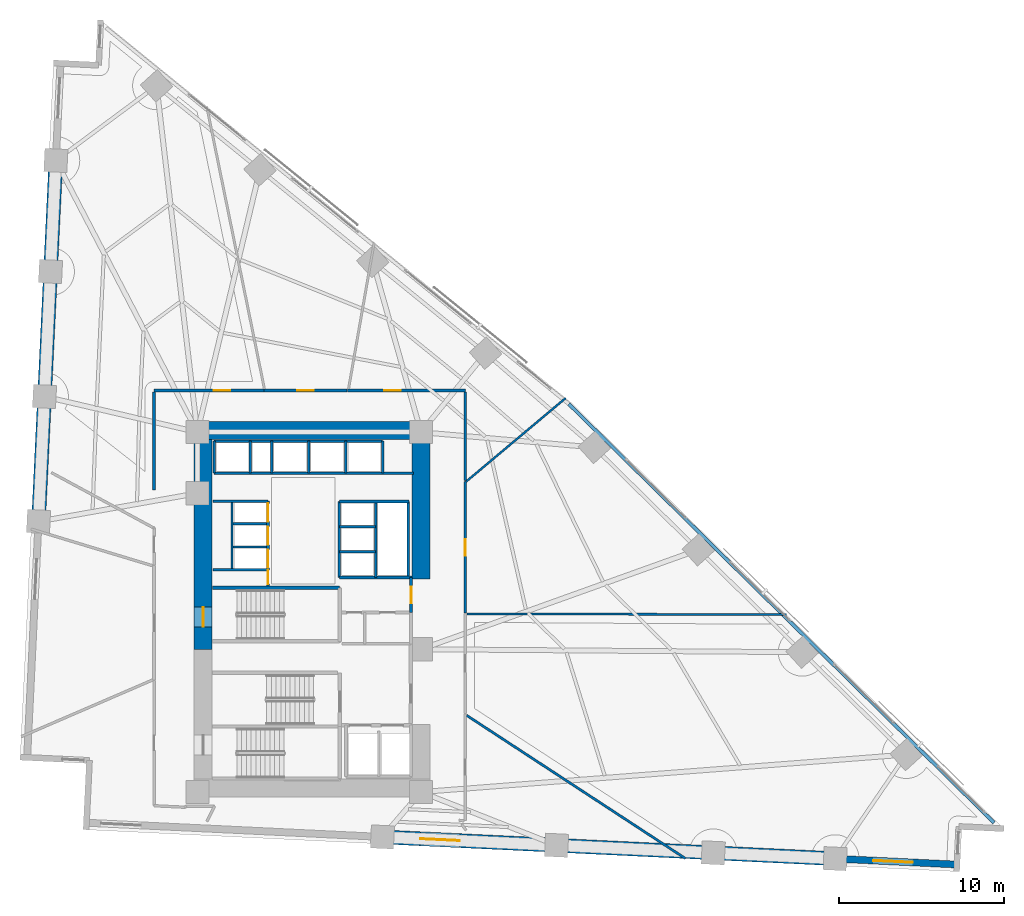
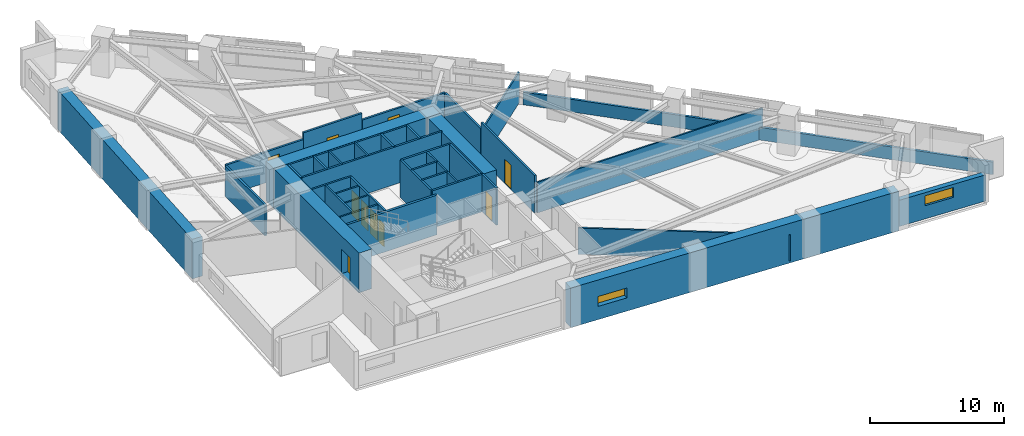
# One storey, part 14 of 17: 40 walls, 10 doors, 2 windows, 12 openings.
"""IFC4 building model written with IfcOpenShell, lengths in metres."""

import ifcopenshell
import ifcopenshell.guid

model = None  # the IFC model being written
_history = None  # IfcOwnerHistory: only IFC2X3 demands one
_inside = {}  # id of a spatial element -> (the spatial element, [elements in it])
_under = {}  # id of a project, library or spatial element -> (it, [spatial elements below it])
_declared = {}  # id of a project -> (the project, [libraries it declares])
_typed = {}  # id of a type object -> (the type object, [elements of that type])
_made_of = {}  # id of a material, layer set ... -> (it, [elements and type objects made of it])


def new_model(schema):
    """Start an empty IFC model of exactly this schema.

    Asked for "IFC4X3", IfcOpenShell would pick the latest addendum, in which some entities
    have other attributes; the version numbers below select the first issue.
    IFC2X3 requires an IfcOwnerHistory on every rooted entity: one is made here for all.
    """
    global model, _history
    if schema == "IFC4X3":
        model = ifcopenshell.file(schema_version=(4, 3, 0, 0))
    else:
        model = ifcopenshell.file(schema=schema)
    _inside.clear()
    _under.clear()
    _declared.clear()
    _typed.clear()
    _made_of.clear()
    _history = None
    if model.schema == "IFC2X3":
        org = make("IfcOrganization", Name="unknown")
        user = make(
            "IfcPersonAndOrganization",
            ThePerson=make("IfcPerson", FamilyName="unknown"),
            TheOrganization=org,
        )
        app = make(
            "IfcApplication",
            ApplicationDeveloper=org,
            Version="unknown",
            ApplicationFullName="unknown",
            ApplicationIdentifier="unknown",
        )
        _history = make(
            "IfcOwnerHistory",
            OwningUser=user,
            OwningApplication=app,
            ChangeAction="ADDED",
            CreationDate=0,
        )
    return model


def make(cls, **values):
    """One entity of the class cls with the attributes given. An attribute that is None is left unset."""
    return model.create_entity(
        cls, **{name: value for name, value in values.items() if value is not None}
    )


def rooted(cls, **values):
    """An entity with a GlobalId (a new one), such as an element, a storey or a relation."""
    return make(cls, GlobalId=ifcopenshell.guid.new(), OwnerHistory=_history, **values)


def si_unit(unit_type, name, prefix=None):
    """IfcSIUnit, for example si_unit("LENGTHUNIT", "METRE", prefix="MILLI")."""
    return make("IfcSIUnit", UnitType=unit_type, Prefix=prefix, Name=name)


def assignment(units):
    """IfcUnitAssignment: the units of a project."""
    return None if units is None else make("IfcUnitAssignment", Units=units)


def point(xyz):
    """IfcCartesianPoint."""
    return None if xyz is None else make("IfcCartesianPoint", Coordinates=xyz)


def direction(xyz):
    """IfcDirection."""
    return None if xyz is None else make("IfcDirection", DirectionRatios=xyz)


def frame(location, z_axis=None, x_axis=None):
    """IfcAxis2Placement3D, a coordinate frame: its origin and axes. An axis left out is left unset."""
    return make(
        "IfcAxis2Placement3D",
        Location=point(location),
        Axis=direction(z_axis),
        RefDirection=direction(x_axis),
    )


def frame_2d(location, x_axis=None):
    """IfcAxis2Placement2D, a coordinate frame in the plane: its origin and x axis."""
    return make(
        "IfcAxis2Placement2D", Location=point(location), RefDirection=direction(x_axis)
    )


def origin():
    """The frame at (0, 0, 0) with its axes left unset."""
    return frame((0.0, 0.0, 0.0))


def place(relative_to, where):
    """IfcLocalPlacement: puts the frame where relative to a parent placement (None: the world)."""
    return make(
        "IfcLocalPlacement", PlacementRelTo=relative_to, RelativePlacement=where
    )


def context(
    kind, dimensions, precision=None, world=None, true_north=None, identifier=None
):
    """IfcGeometricRepresentationContext, for example the 3D "Model" context."""
    return make(
        "IfcGeometricRepresentationContext",
        ContextIdentifier=identifier,
        ContextType=kind,
        CoordinateSpaceDimension=dimensions,
        Precision=precision,
        WorldCoordinateSystem=world,
        TrueNorth=true_north,
    )


def subcontext(parent, identifier, kind, view, scale=None):
    """IfcGeometricRepresentationSubContext, for example "Body" below "Model"."""
    return make(
        "IfcGeometricRepresentationSubContext",
        ContextIdentifier=identifier,
        ContextType=kind,
        ParentContext=parent,
        TargetScale=scale,
        TargetView=view,
    )


def project(units=None, contexts=None):
    """IfcProject with its units and contexts."""
    return rooted(
        "IfcProject",
        Name="project",
        RepresentationContexts=contexts,
        UnitsInContext=assignment(units),
    )


def spatial(cls, under=None, at=None, **own):
    """A site, building, storey or space (cls), placed at a placement, below another one or the project."""
    s = rooted(cls, ObjectPlacement=at, **own)
    if under is not None:
        _under.setdefault(under.id(), (under, []))[1].append(s)
    return s


def profile(cls, at=None, kind="AREA", **sizes):
    """A parametric profile (cls). Its sizes go by their IFC names, for example OverallWidth=200.0."""
    return make(cls, ProfileType=kind, Position=at, **sizes)


def rectangle(**sizes):
    """IfcRectangleProfileDef."""
    return profile("IfcRectangleProfileDef", **sizes)


def extrude(swept, where, along, depth):
    """IfcExtrudedAreaSolid: the profile swept, set in the frame where, extruded along a direction by depth."""
    return make(
        "IfcExtrudedAreaSolid",
        SweptArea=swept,
        Position=where,
        ExtrudedDirection=direction(along),
        Depth=depth,
    )


def shape(context_of_items, identifier, shape_type, items):
    """IfcShapeRepresentation: the items that make up one representation, for example the "Body"."""
    return make(
        "IfcShapeRepresentation",
        ContextOfItems=context_of_items,
        RepresentationIdentifier=identifier,
        RepresentationType=shape_type,
        Items=items,
    )


def material(Name=None, Category=None):
    """IfcMaterial."""
    return make("IfcMaterial", Name=Name, Category=Category)


def layer(
    of_material, thickness, ventilated=None, Name=None, Category=None, Priority=None
):
    """IfcMaterialLayer: one layer of a wall or slab, of a material (None: an air gap)."""
    return make(
        "IfcMaterialLayer",
        Material=of_material,
        LayerThickness=thickness,
        IsVentilated=ventilated,
        Name=Name,
        Category=Category,
        Priority=Priority,
    )


def layer_set(layers, Name=None):
    """IfcMaterialLayerSet."""
    return make("IfcMaterialLayerSet", MaterialLayers=layers, LayerSetName=Name)


def made_of(thing, what):
    """Note that an element or type object is made of a material, layer set ...; save() writes the relation."""
    if what is not None:
        _made_of.setdefault(what.id(), (what, []))[1].append(thing)
    return thing


def type_object(cls, material=None, **own):
    """A type object (cls), such as IfcWallType, which elements share."""
    return made_of(rooted(cls, **own), material)


def element(
    cls,
    number,
    at=None,
    inside=None,
    cuts=None,
    type_object=None,
    material=None,
    context=None,
    identifier="Body",
    shape_type=None,
    held_by="IfcProductDefinitionShape",
    body=None,
    shapes=None,
    **own,
):
    """One element of the class cls, such as IfcWall. Its Tag is "e" and its number.

    at: its placement. inside: the storey or other place that contains it. cuts: it is an
    opening in that element (IfcRelVoidsElement). A single representation is given by context,
    identifier, shape_type and body (its items); several are given by shapes. held_by: the class
    of the entity that holds the representations. save() writes the other relations.
    """
    e = rooted(cls, Tag="e%d" % number, ObjectPlacement=at, **own)
    if body is not None:
        shapes = [shape(context, identifier, shape_type, body)]
    if shapes is not None:
        e.Representation = make(held_by, Representations=shapes)
    if inside is not None:
        _inside.setdefault(inside.id(), (inside, []))[1].append(e)
    if cuts is not None:
        rooted(
            "IfcRelVoidsElement", RelatingBuildingElement=cuts, RelatedOpeningElement=e
        )
    if type_object is not None:
        _typed.setdefault(type_object.id(), (type_object, []))[1].append(e)
    return made_of(e, material)


def fill(opening, filler):
    """IfcRelFillsElement: the door or window that sits in an opening."""
    return rooted(
        "IfcRelFillsElement",
        RelatingOpeningElement=opening,
        RelatedBuildingElement=filler,
    )


def aggregate(whole, parts):
    """IfcRelAggregates: a whole, such as a stair, and the parts it consists of."""
    return rooted("IfcRelAggregates", RelatingObject=whole, RelatedObjects=parts)


def save(model, path):
    """Write the relations noted so far, then the file.

    IfcRelAggregates (storeys below a building ...), IfcRelContainedInSpatialStructure (elements
    in a storey), IfcRelDefinesByType, IfcRelAssociatesMaterial and IfcRelDeclares: one each for
    every whole, place, type object, material and project.
    """
    for whole, parts in _under.values():
        aggregate(whole, parts)
    for where, things in _inside.values():
        rooted(
            "IfcRelContainedInSpatialStructure",
            RelatedElements=things,
            RelatingStructure=where,
        )
    for kind, things in _typed.values():
        rooted("IfcRelDefinesByType", RelatedObjects=things, RelatingType=kind)
    for what, things in _made_of.values():
        rooted("IfcRelAssociatesMaterial", RelatedObjects=things, RelatingMaterial=what)
    for by, libraries in _declared.values():
        rooted("IfcRelDeclares", RelatingContext=by, RelatedDefinitions=libraries)
    model.write(path)


model = new_model("IFC4")

# Units and contexts
model_context = context("Model", 3, precision=1e-05, world=origin(), true_north=direction((0.0, 1.0)))
body_context = subcontext(model_context, "Body", "Model", "MODEL_VIEW")
ifc_project = project(units=[si_unit("LENGTHUNIT", "METRE"), si_unit("AREAUNIT", "SQUARE_METRE"), si_unit("VOLUMEUNIT", "CUBIC_METRE"), si_unit("PLANEANGLEUNIT", "RADIAN"), si_unit("MASSUNIT", "GRAM", prefix="KILO")], contexts=[model_context])

# Site, building, storey
site_placement = place(None, origin())
site = spatial("IfcSite", under=ifc_project, at=site_placement, CompositionType="ELEMENT")
building_placement = place(site_placement, origin())
building = spatial("IfcBuilding", under=site, at=building_placement, Name="Narakoshi Arena Tower", CompositionType="ELEMENT")
storey_placement = place(building_placement, frame((0.0, 0.0, 41.10009765625)))
storey = spatial("IfcBuildingStorey", under=building, at=storey_placement, Name="L10", CompositionType="ELEMENT", Elevation=41.10009765625)

# Wall, opening, door
ifc_material_1 = material(Name="Concrete C60/75", Category="concrete")
ifc_layer_1 = layer(ifc_material_1, 1.10009765625)
ifc_layer_set_1 = layer_set([ifc_layer_1], Name="Concrete C60/75")
wall_type_1 = type_object("IfcWallType", Name="WL-CORE-1100", PredefinedType="SHEAR", material=ifc_layer_set_1)
wall_1_placement = place(storey_placement, frame((72.35009765625, 43.35009765625, -0.2001953125), z_axis=(0.0, 0.0, 1.0), x_axis=(0.0, 1.0, 0.0)))
wall_1 = element("IfcWall", 1, at=wall_1_placement, inside=storey, type_object=wall_type_1, Name="L10 Main Core Shear Wall CW-MN-W", PredefinedType="SHEAR", context=body_context, shape_type="SweptSolid", body=[
    extrude(rectangle(XDim=12.699951171875, YDim=1.10009765625, at=frame_2d((6.35009765625, 0.0))), origin(), (0.0, 0.0, 1.0), 3.60009765625),
])
opening_1_placement = place(wall_1_placement, frame((1.35009765625, 0.0, 0.199951171875)))
opening_1 = element("IfcOpeningElement", 2, at=opening_1_placement, cuts=wall_1, Name="Opening D-03", PredefinedType="OPENING", context=body_context, shape_type="SweptSolid", body=[
    extrude(rectangle(XDim=1.199951171875, YDim=2.199951171875, at=frame_2d((0.60009765625, 1.10009765625))), frame((0.0, 0.56005859375, 0.0), z_axis=(0.0, -1.0, 0.0), x_axis=(1.0, 0.0, 0.0)), (0.0, 0.0, 1.0), 1.1201171875),
])
ifc_material_2 = material(Name="Painted galvanized steel", Category="steel")
door_type_1 = type_object("IfcDoorType", Name="DR-STR-1200", OperationType="NOTDEFINED", PredefinedType="USERDEFINED", material=ifc_material_2)
door_1_placement = place(opening_1_placement, frame((1.199951171875, 0.0, 0.0), z_axis=(0.0, 0.0, 1.0), x_axis=(-1.0, 0.0, 0.0)))
door_1 = element("IfcDoor", 3, at=door_1_placement, inside=storey, type_object=door_type_1, Name="DR-L10-006", ObjectType="EXITDOOR", OperationType="SINGLE_SWING_LEFT", OverallHeight=2.199951171875, OverallWidth=1.199951171875, PredefinedType="USERDEFINED", context=body_context, shape_type="SweptSolid", body=[
    extrude(rectangle(XDim=1.199951171875, YDim=2.199951171875, at=frame_2d((0.60009765625, 1.10009765625))), frame((0.0, 0.02490234375, 0.0), z_axis=(0.0, -1.0, 0.0), x_axis=(1.0, 0.0, 0.0)), (0.0, 0.0, 1.0), 0.050048828125),
])
fill(opening_1, door_1)

# Walls
wall_2_placement = place(storey_placement, frame((71.800048828125, 56.60009765625, -0.2001953125), z_axis=(0.0, 0.0, 1.0), x_axis=(1.0, 0.0, 0.0)))
element("IfcWall", 4, at=wall_2_placement, inside=storey, type_object=wall_type_1, Name="L10 Main Core Shear Wall CW-MN-N", PredefinedType="SHEAR", context=body_context, shape_type="SweptSolid", body=[
    extrude(rectangle(XDim=14.300048828125, YDim=1.10009765625, at=frame_2d((7.14990234375, 0.0))), origin(), (0.0, 0.0, 1.0), 3.60009765625),
])
wall_3_placement = place(storey_placement, frame((85.550048828125, 47.60009765625, -0.2001953125), z_axis=(0.0, 0.0, 1.0), x_axis=(0.0, 1.0, 0.0)))
element("IfcWall", 5, at=wall_3_placement, inside=storey, type_object=wall_type_1, Name="L10 Main Core Shear Wall CW-MN-E", PredefinedType="SHEAR", context=body_context, shape_type="SweptSolid", body=[
    extrude(rectangle(XDim=8.449951171875, YDim=1.10009765625, at=frame_2d((4.22509765625, 0.0))), origin(), (0.0, 0.0, 1.0), 3.60009765625),
])

# Wall, opening, door
ifc_material_3 = material(Name="Gypsum plasterboard fire-rated partition")
ifc_layer_2 = layer(ifc_material_3, 0.1650390625)
ifc_layer_set_2 = layer_set([ifc_layer_2], Name="Gypsum plasterboard fire-rated partition")
wall_type_2 = type_object("IfcWallType", Name="WL-CORR-165", PredefinedType="PARTITIONING", material=ifc_layer_set_2)
wall_4_placement = place(storey_placement, frame((84.949951171875, 45.580078125, 0.0), z_axis=(0.0, 0.0, 1.0), x_axis=(0.0, 1.0, 0.0)))
wall_4 = element("IfcWall", 6, at=wall_4_placement, inside=storey, type_object=wall_type_2, Name="L10 Core Wall CPAS-E", PredefinedType="PARTITIONING", context=body_context, shape_type="SweptSolid", body=[
    extrude(rectangle(XDim=2.119873046875, YDim=0.1650390625, at=frame_2d((1.06005859375, 0.0))), origin(), (0.0, 0.0, 1.0), 3.39990234375),
])
opening_2_placement = place(wall_4_placement, frame((0.56005859375, 0.0, 0.0)))
opening_2 = element("IfcOpeningElement", 7, at=opening_2_placement, cuts=wall_4, Name="Opening D-06", PredefinedType="OPENING", context=body_context, shape_type="SweptSolid", body=[
    extrude(rectangle(XDim=1.0, YDim=2.199951171875, at=frame_2d((0.5, 1.10009765625))), frame((0.0, 0.092529296875, 0.0), z_axis=(0.0, -1.0, 0.0), x_axis=(1.0, 0.0, 0.0)), (0.0, 0.0, 1.0), 0.18505859375),
])
ifc_material_4 = material(Name="Stained oak solid-core timber", Category="wood")
door_type_2 = type_object("IfcDoorType", Name="DR-OFF-1000", OperationType="NOTDEFINED", PredefinedType="DOOR", material=ifc_material_4)
door_2_placement = place(opening_2_placement, frame((1.0, 0.0, 0.0), z_axis=(0.0, 0.0, 1.0), x_axis=(-1.0, 0.0, 0.0)))
door_2 = element("IfcDoor", 8, at=door_2_placement, inside=storey, type_object=door_type_2, Name="DR-L10-007", OperationType="SINGLE_SWING_LEFT", OverallHeight=2.199951171875, OverallWidth=1.0, PredefinedType="DOOR", context=body_context, shape_type="SweptSolid", body=[
    extrude(rectangle(XDim=1.0, YDim=2.199951171875, at=frame_2d((0.5, 1.10009765625))), frame((0.0, 0.02490234375, 0.0), z_axis=(0.0, -1.0, 0.0), x_axis=(1.0, 0.0, 0.0)), (0.0, 0.0, 1.0), 0.050048828125),
])
fill(opening_2, door_2)

wall_5_placement = place(storey_placement, frame((88.237548828125, 45.55419921875, 0.0), z_axis=(0.0, 0.0, 1.0), x_axis=(0.0, 1.0, 0.0)))
wall_5 = element("IfcWall", 9, at=wall_5_placement, inside=storey, type_object=wall_type_2, Name="L10 Corridor Partition 05-1", PredefinedType="PARTITIONING", context=body_context, shape_type="SweptSolid", body=[
    extrude(rectangle(XDim=7.94287109375, YDim=0.1650390625, at=frame_2d((3.971435546875, 0.0))), origin(), (0.0, 0.0, 1.0), 3.39990234375),
])
opening_3_placement = place(wall_5_placement, frame((3.471435546875, 0.0, 0.0)))
opening_3 = element("IfcOpeningElement", 10, at=opening_3_placement, cuts=wall_5, Name="Opening D-06", PredefinedType="OPENING", context=body_context, shape_type="SweptSolid", body=[
    extrude(rectangle(XDim=1.0, YDim=2.199951171875, at=frame_2d((0.5, 1.10009765625))), frame((0.0, 0.092529296875, 0.0), z_axis=(0.0, -1.0, 0.0), x_axis=(1.0, 0.0, 0.0)), (0.0, 0.0, 1.0), 0.18505859375),
])
door_3_placement = place(opening_3_placement, frame((1.0, 0.0, 0.0), z_axis=(0.0, 0.0, 1.0), x_axis=(-1.0, 0.0, 0.0)))
door_3 = element("IfcDoor", 11, at=door_3_placement, inside=storey, type_object=door_type_2, Name="DR-L10-018", OperationType="SINGLE_SWING_RIGHT", OverallHeight=2.199951171875, OverallWidth=1.0, PredefinedType="DOOR", context=body_context, shape_type="SweptSolid", body=[
    extrude(rectangle(XDim=1.0, YDim=2.199951171875, at=frame_2d((0.5, 1.10009765625))), frame((0.0, 0.02490234375, 0.0), z_axis=(0.0, -1.0, 0.0), x_axis=(1.0, 0.0, 0.0)), (0.0, 0.0, 1.0), 0.050048828125),
])
fill(opening_3, door_3)

wall_6_placement = place(storey_placement, frame((88.237548828125, 59.02001953125, 0.0), z_axis=(0.0, 0.0, 1.0), x_axis=(-1.0, 0.0, 0.0)))
wall_6 = element("IfcWall", 12, at=wall_6_placement, inside=storey, type_object=wall_type_2, Name="L10 Corridor Partition 06-1", PredefinedType="PARTITIONING", context=body_context, shape_type="SweptSolid", body=[
    extrude(rectangle(XDim=7.132568359375, YDim=0.1650390625, at=frame_2d((3.56640625, 0.0))), origin(), (0.0, 0.0, 1.0), 2.784912109375),
])
opening_4_placement = place(wall_6_placement, frame((3.926025390625, 0.0, 0.0)))
opening_4 = element("IfcOpeningElement", 13, at=opening_4_placement, cuts=wall_6, Name="Opening D-06", PredefinedType="OPENING", context=body_context, shape_type="SweptSolid", body=[
    extrude(rectangle(XDim=1.0, YDim=2.199951171875, at=frame_2d((0.5, 1.10009765625))), frame((0.0, 0.092529296875, 0.0), z_axis=(0.0, -1.0, 0.0), x_axis=(1.0, 0.0, 0.0)), (0.0, 0.0, 1.0), 0.18505859375),
])
door_4_placement = place(opening_4_placement, frame((1.0, 0.0, 0.0), z_axis=(0.0, 0.0, 1.0), x_axis=(-1.0, 0.0, 0.0)))
door_4 = element("IfcDoor", 14, at=door_4_placement, inside=storey, type_object=door_type_2, Name="DR-L10-019", OperationType="SINGLE_SWING_LEFT", OverallHeight=2.199951171875, OverallWidth=1.0, PredefinedType="DOOR", context=body_context, shape_type="SweptSolid", body=[
    extrude(rectangle(XDim=1.0, YDim=2.199951171875, at=frame_2d((0.5, 1.10009765625))), frame((0.0, 0.02490234375, 0.0), z_axis=(0.0, -1.0, 0.0), x_axis=(1.0, 0.0, 0.0)), (0.0, 0.0, 1.0), 0.050048828125),
])
fill(opening_4, door_4)

# Wall
wall_7_placement = place(storey_placement, frame((88.237548828125, 53.565673828125, 0.0), z_axis=(0.0, 0.0, 1.0), x_axis=(0.0, 1.0, 0.0)))
element("IfcWall", 15, at=wall_7_placement, inside=storey, type_object=wall_type_2, Name="L10 Corridor Partition 06-2", PredefinedType="PARTITIONING", context=body_context, shape_type="SweptSolid", body=[
    extrude(rectangle(XDim=5.35986328125, YDim=0.1650390625, at=frame_2d((2.679931640625, 0.0))), origin(), (0.0, 0.0, 1.0), 2.784912109375),
])

# Wall, opening, door
wall_8_placement = place(storey_placement, frame((81.080810546875, 59.02001953125, 0.0), z_axis=(0.0, 0.0, 1.0), x_axis=(-1.0, 0.0, 0.0)))
wall_8 = element("IfcWall", 16, at=wall_8_placement, inside=storey, type_object=wall_type_2, Name="L10 Corridor Partition 07-1", PredefinedType="PARTITIONING", context=body_context, shape_type="SweptSolid", body=[
    extrude(rectangle(XDim=5.031005859375, YDim=0.1650390625, at=frame_2d((2.515625, 0.0))), origin(), (0.0, 0.0, 1.0), 3.39990234375),
])
opening_5_placement = place(wall_8_placement, frame((2.015380859375, 0.0, 0.0)))
opening_5 = element("IfcOpeningElement", 17, at=opening_5_placement, cuts=wall_8, Name="Opening D-06", PredefinedType="OPENING", context=body_context, shape_type="SweptSolid", body=[
    extrude(rectangle(XDim=1.0, YDim=2.199951171875, at=frame_2d((0.5, 1.10009765625))), frame((0.0, 0.092529296875, 0.0), z_axis=(0.0, -1.0, 0.0), x_axis=(1.0, 0.0, 0.0)), (0.0, 0.0, 1.0), 0.18505859375),
])
door_5_placement = place(opening_5_placement, frame((1.0, 0.0, 0.0), z_axis=(0.0, 0.0, 1.0), x_axis=(-1.0, 0.0, 0.0)))
door_5 = element("IfcDoor", 18, at=door_5_placement, inside=storey, type_object=door_type_2, Name="DR-L10-020", OperationType="SINGLE_SWING_RIGHT", OverallHeight=2.199951171875, OverallWidth=1.0, PredefinedType="DOOR", context=body_context, shape_type="SweptSolid", body=[
    extrude(rectangle(XDim=1.0, YDim=2.199951171875, at=frame_2d((0.5, 1.10009765625))), frame((0.0, 0.02490234375, 0.0), z_axis=(0.0, -1.0, 0.0), x_axis=(1.0, 0.0, 0.0)), (0.0, 0.0, 1.0), 0.050048828125),
])
fill(opening_5, door_5)

wall_9_placement = place(storey_placement, frame((76.025390625, 59.02001953125, 0.0), z_axis=(0.0, 0.0, 1.0), x_axis=(-1.0, 0.0, 0.0)))
wall_9 = element("IfcWall", 19, at=wall_9_placement, inside=storey, type_object=wall_type_2, Name="L10 Corridor Partition 08-1", PredefinedType="PARTITIONING", context=body_context, shape_type="SweptSolid", body=[
    extrude(rectangle(XDim=6.6455078125, YDim=0.1650390625, at=frame_2d((3.32275390625, 0.0))), origin(), (0.0, 0.0, 1.0), 2.784912109375),
])
opening_6_placement = place(wall_9_placement, frame((2.035888671875, 0.0, 0.0)))
opening_6 = element("IfcOpeningElement", 20, at=opening_6_placement, cuts=wall_9, Name="Opening D-06", PredefinedType="OPENING", context=body_context, shape_type="SweptSolid", body=[
    extrude(rectangle(XDim=1.0, YDim=2.199951171875, at=frame_2d((0.5, 1.10009765625))), frame((0.0, 0.092529296875, 0.0), z_axis=(0.0, -1.0, 0.0), x_axis=(1.0, 0.0, 0.0)), (0.0, 0.0, 1.0), 0.18505859375),
])
door_6_placement = place(opening_6_placement, frame((1.0, 0.0, 0.0), z_axis=(0.0, 0.0, 1.0), x_axis=(-1.0, 0.0, 0.0)))
door_6 = element("IfcDoor", 21, at=door_6_placement, inside=storey, type_object=door_type_2, Name="DR-L10-021", OperationType="SINGLE_SWING_LEFT", OverallHeight=2.199951171875, OverallWidth=1.0, PredefinedType="DOOR", context=body_context, shape_type="SweptSolid", body=[
    extrude(rectangle(XDim=1.0, YDim=2.199951171875, at=frame_2d((0.5, 1.10009765625))), frame((0.0, 0.02490234375, 0.0), z_axis=(0.0, -1.0, 0.0), x_axis=(1.0, 0.0, 0.0)), (0.0, 0.0, 1.0), 0.050048828125),
])
fill(opening_6, door_6)

# Wall
wall_10_placement = place(storey_placement, frame((69.3798828125, 58.925537109375, 0.0), z_axis=(0.0, 0.0, 1.0), x_axis=(0.0, -1.0, 0.0)))
element("IfcWall", 22, at=wall_10_placement, inside=storey, type_object=wall_type_2, Name="L10 Corridor Partition 08-2", PredefinedType="PARTITIONING", context=body_context, shape_type="SweptSolid", body=[
    extrude(rectangle(XDim=5.939697265625, YDim=0.1650390625, at=frame_2d((2.9697265625, 0.0))), origin(), (0.0, 0.0, 1.0), 2.784912109375),
])

# Wall, opening, window
ifc_layer_3 = layer(ifc_material_1, 0.85009765625)
ifc_layer_set_3 = layer_set([ifc_layer_3], Name="Concrete C60/75")
wall_type_3 = type_object("IfcWallType", Name="WL-LEG-850", PredefinedType="SHEAR", material=ifc_layer_set_3)
wall_11_placement = place(storey_placement, frame((83.2119140625, 31.979248046875, -0.2001953125), z_axis=(0.0, 0.0, 1.0), x_axis=(0.998848235141, -0.047981279227, 0.0)))
wall_11 = element("IfcWall", 23, at=wall_11_placement, inside=storey, type_object=wall_type_3, Name="L10 Architectural Concrete Structural Wall LEGA-2", PredefinedType="SHEAR", context=body_context, shape_type="SweptSolid", body=[
    extrude(rectangle(XDim=27.456298828125, YDim=0.85009765625, at=frame_2d((13.72802734375, 0.0))), origin(), (0.0, 0.0, 1.0), 3.60009765625),
])
opening_7_placement = place(wall_11_placement, frame((2.300048828125, 0.0, 1.199951171875)))
opening_7 = element("IfcOpeningElement", 24, at=opening_7_placement, cuts=wall_11, Name="Opening WN-01", PredefinedType="OPENING", context=body_context, shape_type="SweptSolid", body=[
    extrude(rectangle(XDim=2.39990234375, YDim=0.89990234375, at=frame_2d((1.199951171875, 0.449951171875))), frame((0.0, 0.43505859375, 0.0), z_axis=(0.0, -1.0, 0.0), x_axis=(1.0, 0.0, 0.0)), (0.0, 0.0, 1.0), 0.8701171875),
])
ifc_material_5 = material(Name="Bronze-tinted low-E laminated glass", Category="glass")
window_type = type_object("IfcWindowType", Name="WIN-SLT-24x09", PartitioningType="SINGLE_PANEL", PredefinedType="WINDOW", material=ifc_material_5)
window_1_placement = place(opening_7_placement, origin())
window_1 = element("IfcWindow", 25, at=window_1_placement, inside=storey, type_object=window_type, Name="L10 LEGA2 Horizontal Slot Window 1", OverallHeight=0.89990234375, OverallWidth=2.39990234375, PartitioningType="SINGLE_PANEL", PredefinedType="WINDOW", context=body_context, shape_type="SweptSolid", body=[
    extrude(rectangle(XDim=2.39990234375, YDim=0.89990234375, at=frame_2d((1.199951171875, 0.449951171875))), frame((0.0, 0.030029296875, 0.0), z_axis=(0.0, -1.0, 0.0), x_axis=(1.0, 0.0, 0.0)), (0.0, 0.0, 1.0), 0.06005859375),
])
fill(opening_7, window_1)

# Walls
wall_12_placement = place(storey_placement, frame((63.42822265625, 72.95654296875, -0.2001953125), z_axis=(0.0, 0.0, 1.0), x_axis=(-0.047976309476, -0.998848473858, 0.0)))
element("IfcWall", 26, at=wall_12_placement, inside=storey, type_object=wall_type_3, Name="L10 Architectural Concrete Structural Wall LEGB-2", PredefinedType="SHEAR", context=body_context, shape_type="SweptSolid", body=[
    extrude(rectangle(XDim=21.891845703125, YDim=0.85009765625, at=frame_2d((10.94580078125, 0.0))), origin(), (0.0, 0.0, 1.0), 3.60009765625),
])
ifc_material_6 = material(Name="Precast concrete C45/55", Category="concrete")
ifc_layer_4 = layer(ifc_material_6, 0.25)
ifc_layer_set_4 = layer_set([ifc_layer_4], Name="Precast concrete C45/55")
wall_type_4 = type_object("IfcWallType", Name="WL-PARA-250", PredefinedType="PARAPET", material=ifc_layer_set_4)
wall_13_placement = place(storey_placement, frame((120.254150390625, 32.847900390625, 0.0), z_axis=(0.0, 0.0, 1.0), x_axis=(-0.71254385441, 0.701627576099, 0.0)))
element("IfcWall", 27, at=wall_13_placement, inside=storey, type_object=wall_type_4, Name="L10 Hypotenuse Sill Upstand Parapet 1-01", PredefinedType="PARAPET", context=body_context, shape_type="SweptSolid", body=[
    extrude(rectangle(XDim=36.1416015625, YDim=0.199951171875, at=frame_2d((18.07080078125, 0.0))), origin(), (0.0, 0.0, 1.0), 1.14990234375),
])
ifc_layer_5 = layer(ifc_material_3, 0.125)
ifc_layer_set_5 = layer_set([ifc_layer_5], Name="Gypsum plasterboard fire-rated partition")
wall_type_5 = type_object("IfcWallType", Name="WL-PART-125", PredefinedType="PARTITIONING", material=ifc_layer_set_5)
wall_14_placement = place(storey_placement, frame((88.33203125, 45.494140625, 0.0), z_axis=(0.0, 0.0, 1.0), x_axis=(0.999997534735, -0.00222047849, 0.0)))
element("IfcWall", 28, at=wall_14_placement, inside=storey, type_object=wall_type_5, Name="L10 Inter-Room Partition 04-05", PredefinedType="PARTITIONING", context=body_context, shape_type="SweptSolid", body=[
    extrude(rectangle(XDim=19.35107421875, YDim=0.125, at=frame_2d((9.675537109375, 0.0))), origin(), (0.0, 0.0, 1.0), 2.784912109375),
])
wall_15_placement = place(storey_placement, frame((88.271728515625, 53.4970703125, 0.0), z_axis=(0.0, 0.0, 1.0), x_axis=(0.766131052607, 0.642684378393, 0.0)))
element("IfcWall", 29, at=wall_15_placement, inside=storey, type_object=wall_type_5, Name="L10 Inter-Room Partition 05-06", PredefinedType="PARTITIONING", context=body_context, shape_type="SweptSolid", body=[
    extrude(rectangle(XDim=7.885009765625, YDim=0.125, at=frame_2d((3.9423828125, 0.0))), origin(), (0.0, 0.0, 1.0), 2.784912109375),
])

# Wall, opening, window
ifc_layer_6 = layer(ifc_material_6, 0.419921875)
ifc_layer_set_6 = layer_set([ifc_layer_6], Name="Precast concrete C45/55")
wall_type_6 = type_object("IfcWallType", Name="WL-POD-420", PredefinedType="SOLIDWALL", material=ifc_layer_set_6)
wall_16_placement = place(storey_placement, frame((110.636474609375, 30.661865234375, 0.0), z_axis=(0.0, 0.0, 1.0), x_axis=(0.998847872759, -0.047988822508, 0.0)))
wall_16 = element("IfcWall", 30, at=wall_16_placement, inside=storey, type_object=wall_type_6, Name="L10 Architectural Concrete Facade Wall LEGA-3", PredefinedType="SOLIDWALL", context=body_context, shape_type="SweptSolid", body=[
    extrude(rectangle(XDim=7.39208984375, YDim=0.419921875, at=frame_2d((3.696044921875, 0.0))), origin(), (0.0, 0.0, 1.0), 2.385009765625),
])
opening_8_placement = place(wall_16_placement, frame((2.300048828125, 0.0, 1.199951171875)))
opening_8 = element("IfcOpeningElement", 31, at=opening_8_placement, cuts=wall_16, Name="Opening WN-01", PredefinedType="OPENING", context=body_context, shape_type="SweptSolid", body=[
    extrude(rectangle(XDim=2.39990234375, YDim=0.89990234375, at=frame_2d((1.199951171875, 0.449951171875))), frame((0.0, 0.219970703125, 0.0), z_axis=(0.0, -1.0, 0.0), x_axis=(1.0, 0.0, 0.0)), (0.0, 0.0, 1.0), 0.43994140625),
])
window_2_placement = place(opening_8_placement, origin())
window_2 = element("IfcWindow", 32, at=window_2_placement, inside=storey, type_object=window_type, Name="L10 LEGA3 Horizontal Slot Window 1", OverallHeight=0.89990234375, OverallWidth=2.39990234375, PartitioningType="SINGLE_PANEL", PredefinedType="WINDOW", context=body_context, shape_type="SweptSolid", body=[
    extrude(rectangle(XDim=2.39990234375, YDim=0.89990234375, at=frame_2d((1.199951171875, 0.449951171875))), frame((0.0, 0.030029296875, 0.0), z_axis=(0.0, -1.0, 0.0), x_axis=(1.0, 0.0, 0.0)), (0.0, 0.0, 1.0), 0.06005859375),
])
fill(opening_8, window_2)

# Walls
ifc_material_7 = material(Name="Concrete C40/50", Category="concrete")
ifc_layer_7 = layer(ifc_material_7, 0.280029296875)
ifc_layer_set_7 = layer_set([ifc_layer_7], Name="Concrete C40/50")
wall_type_7 = type_object("IfcWallType", Name="WL-RISER-280", PredefinedType="PLUMBINGWALL", material=ifc_layer_set_7)
wall_17_placement = place(storey_placement, frame((72.949951171875, 48.159912109375, 0.0), z_axis=(0.0, 0.0, 1.0), x_axis=(1.0, 0.0, 0.0)))
element("IfcWall", 33, at=wall_17_placement, inside=storey, type_object=wall_type_7, Name="L10 Core Wall LR-S0", PredefinedType="PLUMBINGWALL", context=body_context, shape_type="SweptSolid", body=[
    extrude(rectangle(XDim=3.239990234375, YDim=0.139892578125, at=frame_2d((1.6201171875, 0.0))), origin(), (0.0, 0.0, 1.0), 3.39990234375),
])
for number, where, z_axis, x_axis, name in (
    (34, (74.14990234375, 49.550048828125, 0.0), (0.0, 0.0, 1.0), (1.0, 0.0, 0.0), "L10 Core Wall LR-D1"),
    (35, (74.14990234375, 50.949951171875, 0.0), (0.0, 0.0, 1.0), (1.0, 0.0, 0.0), "L10 Core Wall LR-D2"),
):
    element("IfcWall", number, at=place(storey_placement, frame(where, z_axis=z_axis, x_axis=x_axis)), inside=storey, type_object=wall_type_7, Name=name, PredefinedType="PLUMBINGWALL", context=body_context, shape_type="SweptSolid", body=[
        extrude(rectangle(XDim=2.0400390625, YDim=0.139892578125, at=frame_2d((1.02001953125, 0.0))), origin(), (0.0, 0.0, 1.0), 3.39990234375),
    ])
wall_18_placement = place(storey_placement, frame((74.10009765625, 48.159912109375, 0.0), z_axis=(0.0, 0.0, 1.0), x_axis=(0.0, 1.0, 0.0)))
element("IfcWall", 36, at=wall_18_placement, inside=storey, type_object=wall_type_7, Name="L10 Core Wall LR-W", PredefinedType="PLUMBINGWALL", context=body_context, shape_type="SweptSolid", body=[
    extrude(rectangle(XDim=4.16015625, YDim=0.139892578125, at=frame_2d((2.080078125, 0.0))), origin(), (0.0, 0.0, 1.0), 3.39990234375),
])
for number, where, z_axis, x_axis, name in (
    (37, (80.60009765625, 49.260009765625, 0.0), (0.0, 0.0, 1.0), (1.0, 0.0, 0.0), "L10 Core Wall MR-D1"),
    (38, (80.60009765625, 50.780029296875, 0.0), (0.0, 0.0, 1.0), (1.0, 0.0, 0.0), "L10 Core Wall MR-D2"),
):
    element("IfcWall", number, at=place(storey_placement, frame(where, z_axis=z_axis, x_axis=x_axis)), inside=storey, type_object=wall_type_7, Name=name, PredefinedType="PLUMBINGWALL", context=body_context, shape_type="SweptSolid", body=[
        extrude(rectangle(XDim=2.199951171875, YDim=0.14990234375, at=frame_2d((1.10009765625, 0.0))), origin(), (0.0, 0.0, 1.0), 3.39990234375),
    ])
wall_19_placement = place(storey_placement, frame((82.800048828125, 47.699951171875, 0.0), z_axis=(0.0, 0.0, 1.0), x_axis=(0.0, 1.0, 0.0)))
element("IfcWall", 39, at=wall_19_placement, inside=storey, type_object=wall_type_7, Name="L10 Core Wall MR-E", PredefinedType="PLUMBINGWALL", context=body_context, shape_type="SweptSolid", body=[
    extrude(rectangle(XDim=4.60009765625, YDim=0.14990234375, at=frame_2d((2.300048828125, 0.0))), origin(), (0.0, 0.0, 1.0), 3.39990234375),
])
for number, where, z_axis, x_axis, name in (
    (40, (73.02001953125, 54.02001953125, 0.0), (0.0, 0.0, 1.0), (0.0, 1.0, 0.0), "L10 Core Wall OBS-W"),
    (41, (75.219970703125, 54.02001953125, 0.0), (0.0, 0.0, 1.0), (0.0, 1.0, 0.0), "L10 Core Wall OBS-M"),
):
    element("IfcWall", number, at=place(storey_placement, frame(where, z_axis=z_axis, x_axis=x_axis)), inside=storey, type_object=wall_type_7, Name=name, PredefinedType="PLUMBINGWALL", context=body_context, shape_type="SweptSolid", body=[
        extrude(rectangle(XDim=1.93994140625, YDim=0.14990234375, at=frame_2d((0.969970703125, 0.0))), origin(), (0.0, 0.0, 1.0), 3.39990234375),
    ])
for number, where, z_axis, x_axis, name in (
    (42, (78.75, 54.02001953125, 0.0), (0.0, 0.0, 1.0), (0.0, 1.0, 0.0), "L10 Core Wall HR-D1"),
    (43, (81.0, 54.02001953125, 0.0), (0.0, 0.0, 1.0), (0.0, 1.0, 0.0), "L10 Core Wall HR-D2"),
):
    element("IfcWall", number, at=place(storey_placement, frame(where, z_axis=z_axis, x_axis=x_axis)), inside=storey, type_object=wall_type_7, Name=name, PredefinedType="PLUMBINGWALL", context=body_context, shape_type="SweptSolid", body=[
        extrude(rectangle(XDim=1.9599609375, YDim=0.14990234375, at=frame_2d((0.97998046875, 0.0))), origin(), (0.0, 0.0, 1.0), 3.39990234375),
    ])
ifc_material_8 = material(Name="Concrete C50/60", Category="concrete")
ifc_layer_8 = layer(ifc_material_8, 0.35009765625)
ifc_layer_set_8 = layer_set([ifc_layer_8], Name="Concrete C50/60")
wall_type_8 = type_object("IfcWallType", Name="WL-SHAFT-350", PredefinedType="SOLIDWALL", material=ifc_layer_set_8)
wall_20_placement = place(storey_placement, frame((72.919921875, 47.070068359375, -0.2001953125), z_axis=(0.0, 0.0, 1.0), x_axis=(1.0, 0.0, 0.0)))
element("IfcWall", 44, at=wall_20_placement, inside=storey, type_object=wall_type_8, Name="L10 Core Wall ST3-N", PredefinedType="SOLIDWALL", context=body_context, shape_type="SweptSolid", body=[
    extrude(rectangle(XDim=7.7001953125, YDim=0.199951171875, at=frame_2d((3.85009765625, 0.0))), origin(), (0.0, 0.0, 1.0), 3.60009765625),
])

# Wall, openings, doors
wall_21_placement = place(storey_placement, frame((76.280029296875, 47.179931640625, 0.0), z_axis=(0.0, 0.0, 1.0), x_axis=(0.0, 1.0, 0.0)))
wall_21 = element("IfcWall", 45, at=wall_21_placement, inside=storey, type_object=wall_type_8, Name="L10 Core Wall LR-E", PredefinedType="SOLIDWALL", context=body_context, shape_type="SweptSolid", body=[
    extrude(rectangle(XDim=5.14013671875, YDim=0.159912109375, at=frame_2d((2.570068359375, 0.0))), origin(), (0.0, 0.0, 1.0), 3.39990234375),
])
opening_9_placement = place(wall_21_placement, frame((1.10009765625, 0.0, 0.0)))
opening_9 = element("IfcOpeningElement", 46, at=opening_9_placement, cuts=wall_21, Name="Opening LD-01", PredefinedType="OPENING", context=body_context, shape_type="SweptSolid", body=[
    extrude(rectangle(XDim=1.10009765625, YDim=2.25, at=frame_2d((0.550048828125, 1.125))), frame((0.0, 0.08984375, 0.0), z_axis=(0.0, -1.0, 0.0), x_axis=(1.0, 0.0, 0.0)), (0.0, 0.0, 1.0), 0.179931640625),
])
opening_10_placement = place(wall_21_placement, frame((2.5, 0.0, 0.0)))
opening_10 = element("IfcOpeningElement", 47, at=opening_10_placement, cuts=wall_21, Name="Opening LD-01", PredefinedType="OPENING", context=body_context, shape_type="SweptSolid", body=[
    extrude(rectangle(XDim=1.10009765625, YDim=2.25, at=frame_2d((0.550048828125, 1.125))), frame((0.0, 0.08984375, 0.0), z_axis=(0.0, -1.0, 0.0), x_axis=(1.0, 0.0, 0.0)), (0.0, 0.0, 1.0), 0.179931640625),
])
opening_11_placement = place(wall_21_placement, frame((3.89990234375, 0.0, 0.0)))
opening_11 = element("IfcOpeningElement", 48, at=opening_11_placement, cuts=wall_21, Name="Opening LD-01", PredefinedType="OPENING", context=body_context, shape_type="SweptSolid", body=[
    extrude(rectangle(XDim=1.10009765625, YDim=2.25, at=frame_2d((0.550048828125, 1.125))), frame((0.0, 0.08984375, 0.0), z_axis=(0.0, -1.0, 0.0), x_axis=(1.0, 0.0, 0.0)), (0.0, 0.0, 1.0), 0.179931640625),
])
opening_12_placement = place(wall_21_placement, frame((0.1201171875, 0.0, 0.0)))
opening_12 = element("IfcOpeningElement", 49, at=opening_12_placement, cuts=wall_21, Name="Opening D-10", PredefinedType="OPENING", context=body_context, shape_type="SweptSolid", body=[
    extrude(rectangle(XDim=0.85009765625, YDim=2.050048828125, at=frame_2d((0.425048828125, 1.02490234375))), frame((0.0, 0.08984375, 0.0), z_axis=(0.0, -1.0, 0.0), x_axis=(1.0, 0.0, 0.0)), (0.0, 0.0, 1.0), 0.179931640625),
])
ifc_material_9 = material(Name="Brushed bronze stainless steel", Category="steel")
door_type_3 = type_object("IfcDoorType", Name="DR-LFT-1100", OperationType="DOUBLE_DOOR_SLIDING", PredefinedType="DOOR", material=ifc_material_9)
door_7_placement = place(opening_9_placement, origin())
door_7 = element("IfcDoor", 50, at=door_7_placement, inside=storey, type_object=door_type_3, Name="DR-L10-010", OperationType="DOUBLE_DOOR_SLIDING", OverallHeight=2.25, OverallWidth=1.10009765625, PredefinedType="DOOR", context=body_context, shape_type="SweptSolid", body=[
    extrude(rectangle(XDim=1.10009765625, YDim=2.25, at=frame_2d((0.550048828125, 1.125))), frame((0.0, 0.02490234375, 0.0), z_axis=(0.0, -1.0, 0.0), x_axis=(1.0, 0.0, 0.0)), (0.0, 0.0, 1.0), 0.050048828125),
])
fill(opening_9, door_7)
door_8_placement = place(opening_10_placement, origin())
door_8 = element("IfcDoor", 51, at=door_8_placement, inside=storey, type_object=door_type_3, Name="DR-L10-011", OperationType="DOUBLE_DOOR_SLIDING", OverallHeight=2.25, OverallWidth=1.10009765625, PredefinedType="DOOR", context=body_context, shape_type="SweptSolid", body=[
    extrude(rectangle(XDim=1.10009765625, YDim=2.25, at=frame_2d((0.550048828125, 1.125))), frame((0.0, 0.02490234375, 0.0), z_axis=(0.0, -1.0, 0.0), x_axis=(1.0, 0.0, 0.0)), (0.0, 0.0, 1.0), 0.050048828125),
])
fill(opening_10, door_8)
door_9_placement = place(opening_11_placement, origin())
door_9 = element("IfcDoor", 52, at=door_9_placement, inside=storey, type_object=door_type_3, Name="DR-L10-012", OperationType="DOUBLE_DOOR_SLIDING", OverallHeight=2.25, OverallWidth=1.10009765625, PredefinedType="DOOR", context=body_context, shape_type="SweptSolid", body=[
    extrude(rectangle(XDim=1.10009765625, YDim=2.25, at=frame_2d((0.550048828125, 1.125))), frame((0.0, 0.02490234375, 0.0), z_axis=(0.0, -1.0, 0.0), x_axis=(1.0, 0.0, 0.0)), (0.0, 0.0, 1.0), 0.050048828125),
])
fill(opening_11, door_9)
door_type_4 = type_object("IfcDoorType", Name="DR-RSR-850", OperationType="NOTDEFINED", PredefinedType="DOOR", material=ifc_material_2)
door_10_placement = place(opening_12_placement, frame((0.85009765625, 0.0, 0.0), z_axis=(0.0, 0.0, 1.0), x_axis=(-1.0, 0.0, 0.0)))
door_10 = element("IfcDoor", 53, at=door_10_placement, inside=storey, type_object=door_type_4, Name="DR-L10-013", OperationType="SINGLE_SWING_LEFT", OverallHeight=2.050048828125, OverallWidth=0.85009765625, PredefinedType="DOOR", context=body_context, shape_type="SweptSolid", body=[
    extrude(rectangle(XDim=0.85009765625, YDim=2.050048828125, at=frame_2d((0.425048828125, 1.02490234375))), frame((0.0, 0.02490234375, 0.0), z_axis=(0.0, -1.0, 0.0), x_axis=(1.0, 0.0, 0.0)), (0.0, 0.0, 1.0), 0.050048828125),
])
fill(opening_12, door_10)

# Walls
wall_22_placement = place(storey_placement, frame((72.949951171875, 52.320068359375, 0.0), z_axis=(0.0, 0.0, 1.0), x_axis=(1.0, 0.0, 0.0)))
element("IfcWall", 54, at=wall_22_placement, inside=storey, type_object=wall_type_8, Name="L10 Core Wall LR-N", PredefinedType="SOLIDWALL", context=body_context, shape_type="SweptSolid", body=[
    extrude(rectangle(XDim=3.330078125, YDim=0.14990234375, at=frame_2d((1.6650390625, 0.0))), origin(), (0.0, 0.0, 1.0), 3.39990234375),
])
wall_23_placement = place(storey_placement, frame((80.60009765625, 47.699951171875, 0.0), z_axis=(0.0, 0.0, 1.0), x_axis=(0.0, 1.0, 0.0)))
element("IfcWall", 55, at=wall_23_placement, inside=storey, type_object=wall_type_8, Name="L10 Core Wall MR-W", PredefinedType="SOLIDWALL", context=body_context, shape_type="SweptSolid", body=[
    extrude(rectangle(XDim=4.60009765625, YDim=0.159912109375, at=frame_2d((2.300048828125, 0.0))), origin(), (0.0, 0.0, 1.0), 3.39990234375),
])
wall_24_placement = place(storey_placement, frame((80.60009765625, 47.699951171875, 0.0), z_axis=(0.0, 0.0, 1.0), x_axis=(1.0, 0.0, 0.0)))
element("IfcWall", 56, at=wall_24_placement, inside=storey, type_object=wall_type_8, Name="L10 Core Wall MR-S", PredefinedType="SOLIDWALL", context=body_context, shape_type="SweptSolid", body=[
    extrude(rectangle(XDim=4.39990234375, YDim=0.159912109375, at=frame_2d((2.199951171875, 0.0))), origin(), (0.0, 0.0, 1.0), 3.39990234375),
])
wall_25_placement = place(storey_placement, frame((80.60009765625, 52.300048828125, 0.0), z_axis=(0.0, 0.0, 1.0), x_axis=(1.0, 0.0, 0.0)))
element("IfcWall", 57, at=wall_25_placement, inside=storey, type_object=wall_type_8, Name="L10 Core Wall MR-N", PredefinedType="SOLIDWALL", context=body_context, shape_type="SweptSolid", body=[
    extrude(rectangle(XDim=4.219970703125, YDim=0.159912109375, at=frame_2d((2.10986328125, 0.0))), origin(), (0.0, 0.0, 1.0), 3.39990234375),
])
wall_26_placement = place(storey_placement, frame((84.780029296875, 47.699951171875, 0.0), z_axis=(0.0, 0.0, 1.0), x_axis=(0.0, 1.0, 0.0)))
element("IfcWall", 58, at=wall_26_placement, inside=storey, type_object=wall_type_8, Name="L10 Core Wall MR-E2", PredefinedType="SOLIDWALL", context=body_context, shape_type="SweptSolid", body=[
    extrude(rectangle(XDim=4.60009765625, YDim=0.159912109375, at=frame_2d((2.300048828125, 0.0))), origin(), (0.0, 0.0, 1.0), 3.39990234375),
])
wall_27_placement = place(storey_placement, frame((73.02001953125, 54.02001953125, 0.0), z_axis=(0.0, 0.0, 1.0), x_axis=(1.0, 0.0, 0.0)))
element("IfcWall", 59, at=wall_27_placement, inside=storey, type_object=wall_type_8, Name="L10 Core Wall NSHF-S", PredefinedType="SOLIDWALL", context=body_context, shape_type="SweptSolid", body=[
    extrude(rectangle(XDim=12.080078125, YDim=0.159912109375, at=frame_2d((6.0400390625, 0.0))), origin(), (0.0, 0.0, 1.0), 3.39990234375),
])
wall_28_placement = place(storey_placement, frame((73.02001953125, 55.9599609375, 0.0), z_axis=(0.0, 0.0, 1.0), x_axis=(1.0, 0.0, 0.0)))
element("IfcWall", 60, at=wall_28_placement, inside=storey, type_object=wall_type_8, Name="L10 Core Wall OBS-N", PredefinedType="SOLIDWALL", context=body_context, shape_type="SweptSolid", body=[
    extrude(rectangle(XDim=3.5, YDim=0.14990234375, at=frame_2d((1.75, 0.0))), origin(), (0.0, 0.0, 1.0), 3.39990234375),
])
wall_29_placement = place(storey_placement, frame((76.52001953125, 54.02001953125, 0.0), z_axis=(0.0, 0.0, 1.0), x_axis=(0.0, 1.0, 0.0)))
element("IfcWall", 61, at=wall_29_placement, inside=storey, type_object=wall_type_8, Name="L10 Core Wall OBS-E", PredefinedType="SOLIDWALL", context=body_context, shape_type="SweptSolid", body=[
    extrude(rectangle(XDim=1.93994140625, YDim=0.14990234375, at=frame_2d((0.969970703125, 0.0))), origin(), (0.0, 0.0, 1.0), 3.39990234375),
])
wall_30_placement = place(storey_placement, frame((83.219970703125, 54.02001953125, 0.0), z_axis=(0.0, 0.0, 1.0), x_axis=(0.0, 1.0, 0.0)))
element("IfcWall", 62, at=wall_30_placement, inside=storey, type_object=wall_type_8, Name="L10 Core Wall HR-E", PredefinedType="SOLIDWALL", context=body_context, shape_type="SweptSolid", body=[
    extrude(rectangle(XDim=1.9599609375, YDim=0.14990234375, at=frame_2d((0.97998046875, 0.0))), origin(), (0.0, 0.0, 1.0), 3.39990234375),
])
wall_31_placement = place(storey_placement, frame((76.52001953125, 55.9599609375, 0.0), z_axis=(0.0, 0.0, 1.0), x_axis=(1.0, 0.0, 0.0)))
element("IfcWall", 63, at=wall_31_placement, inside=storey, type_object=wall_type_8, Name="L10 Core Wall HR-N", PredefinedType="SOLIDWALL", context=body_context, shape_type="SweptSolid", body=[
    extrude(rectangle(XDim=6.699951171875, YDim=0.14990234375, at=frame_2d((3.35009765625, 0.0))), origin(), (0.0, 0.0, 1.0), 3.39990234375),
])
ifc_material_10 = material(Name="Moisture-resistant cement-board partition")
ifc_layer_9 = layer(ifc_material_10, 0.14501953125)
ifc_layer_set_9 = layer_set([ifc_layer_9], Name="Moisture-resistant cement-board partition")
wall_type_9 = type_object("IfcWallType", Name="WL-WET-145", PredefinedType="PARTITIONING", material=ifc_layer_set_9)
wall_32_placement = place(storey_placement, frame((88.322021484375, 39.340576171875, 0.0), z_axis=(0.0, 0.0, 1.0), x_axis=(0.836804147014, -0.547502346607, 0.0)))
element("IfcWall", 64, at=wall_32_placement, inside=storey, type_object=wall_type_9, Name="L10 Inter-Room Partition 03-04", PredefinedType="PARTITIONING", context=body_context, shape_type="SweptSolid", body=[
    extrude(rectangle(XDim=15.833251953125, YDim=0.14501953125, at=frame_2d((7.91650390625, 0.0))), origin(), (0.0, 0.0, 1.0), 2.385009765625),
])

save(model, "model.ifc")
